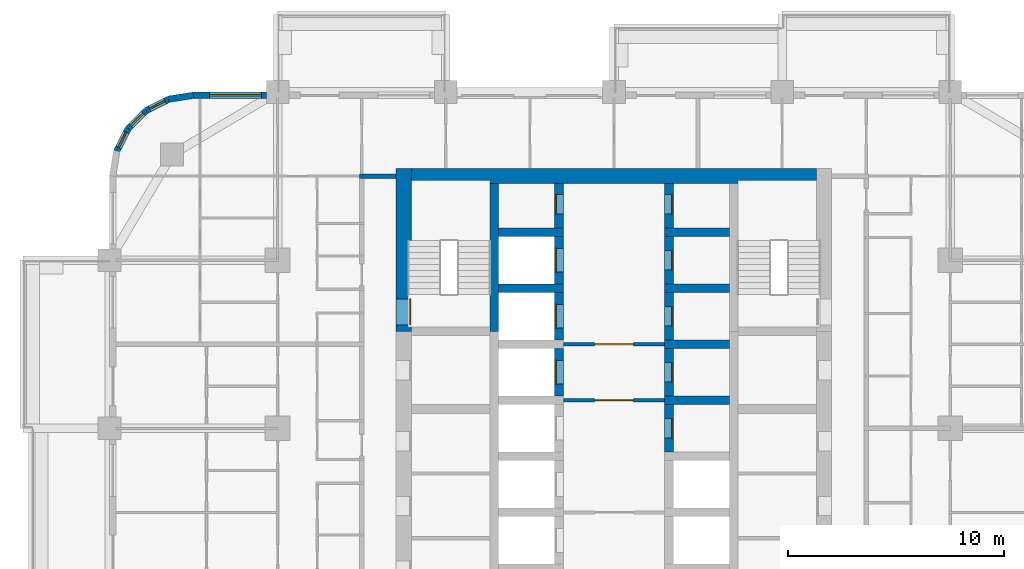
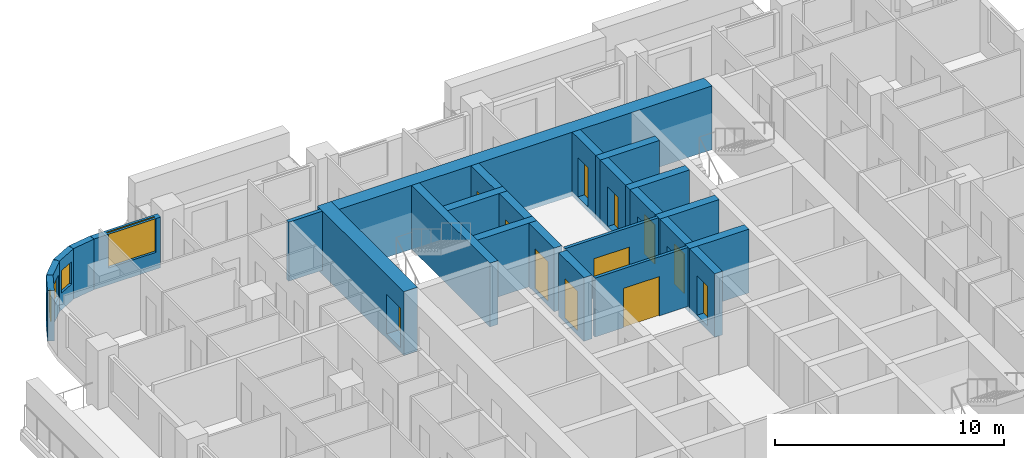
# One storey, part 11 of 18: 26 walls, 12 doors, 4 windows, 16 openings.
"""IFC4 building model written with IfcOpenShell, lengths in metres."""

from ifc_helpers import new_model, si_unit, direction, frame, frame_2d, origin, place, context, subcontext, project, spatial, rectangle, extrude, material, layer, layer_set, type_object, element, fill, save


model = new_model("IFC4")

# Units and contexts
model_context = context("Model", 3, precision=1e-05, world=origin(), true_north=direction((0.0, 1.0)))
body_context = subcontext(model_context, "Body", "Model", "MODEL_VIEW")
ifc_project = project(units=[si_unit("LENGTHUNIT", "METRE"), si_unit("AREAUNIT", "SQUARE_METRE"), si_unit("VOLUMEUNIT", "CUBIC_METRE"), si_unit("PLANEANGLEUNIT", "RADIAN"), si_unit("MASSUNIT", "GRAM", prefix="KILO")], contexts=[model_context])

# Site, building, storey
site_placement = place(None, origin())
site = spatial("IfcSite", under=ifc_project, at=site_placement, CompositionType="ELEMENT")
building_placement = place(site_placement, origin())
building = spatial("IfcBuilding", under=site, at=building_placement, Name="Ludao Terraces", CompositionType="ELEMENT")
storey_placement = place(building_placement, frame((0.0, 0.0, 33.10009765625)))
storey = spatial("IfcBuildingStorey", under=building, at=storey_placement, Name="L08", CompositionType="ELEMENT", Elevation=33.10009765625)

# Wall, opening, door
ifc_material_1 = material(Name="Concrete C70", Category="concrete")
ifc_layer_1 = layer(ifc_material_1, 0.699951171875)
ifc_layer_set_1 = layer_set([ifc_layer_1], Name="Core wall 700 C70")
wall_type_1 = type_object("IfcWallType", Name="Core wall 700 C70", PredefinedType="SOLIDWALL", material=ifc_layer_set_1)
wall_1_placement = place(storey_placement, frame((75.25, 77.300048828125, -0.25), z_axis=(0.0, 0.0, 1.0), x_axis=(0.0, 1.0, 0.0)))
wall_1 = element("IfcWall", 1, at=wall_1_placement, inside=storey, type_object=wall_type_1, Name="Core wall L08 outer-W-S1", PredefinedType="SOLIDWALL", context=body_context, shape_type="SweptSolid", body=[
    extrude(rectangle(XDim=7.550048828125, YDim=0.699951171875, at=frame_2d((3.77490234375, 0.0))), origin(), (0.0, 0.0, 1.0), 3.39990234375),
])
opening_1_placement = place(wall_1_placement, frame((0.300048828125, 0.0, 0.25)))
opening_1 = element("IfcOpeningElement", 2, at=opening_1_placement, cuts=wall_1, Name="Opening R02-133", PredefinedType="OPENING", context=body_context, shape_type="SweptSolid", body=[
    extrude(rectangle(XDim=1.199951171875, YDim=2.10009765625, at=frame_2d((0.60009765625, 1.050048828125))), frame((0.0, 0.35986328125, 0.0), z_axis=(0.0, -1.0, 0.0), x_axis=(1.0, 0.0, 0.0)), (0.0, 0.0, 1.0), 0.719970703125),
])
ifc_material_2 = material(Name="Steel Q235", Category="steel")
door_type_1 = type_object("IfcDoorType", Name="INT Stair door 1200", OperationType="DOUBLE_DOOR_SINGLE_SWING", PredefinedType="DOOR", material=ifc_material_2)
door_1_placement = place(opening_1_placement, origin())
door_1 = element("IfcDoor", 3, at=door_1_placement, inside=storey, type_object=door_type_1, Name="DOOR 133", OperationType="DOUBLE_DOOR_SINGLE_SWING", OverallHeight=2.10009765625, OverallWidth=1.199951171875, PredefinedType="DOOR", context=body_context, shape_type="SweptSolid", body=[
    extrude(rectangle(XDim=1.199951171875, YDim=2.10009765625, at=frame_2d((0.60009765625, 1.050048828125))), frame((0.0, -0.28515625, 0.0), z_axis=(0.0, -1.0, 0.0), x_axis=(1.0, 0.0, 0.0)), (0.0, 0.0, 1.0), 0.050048828125),
])
fill(opening_1, door_1)

# Wall
wall_2_placement = place(storey_placement, frame((75.60009765625, 84.5, -0.25), z_axis=(0.0, 0.0, 1.0), x_axis=(1.0, 0.0, 0.0)))
element("IfcWall", 4, at=wall_2_placement, inside=storey, type_object=wall_type_1, Name="Core wall L08 outer-N", PredefinedType="SOLIDWALL", context=body_context, shape_type="SweptSolid", body=[
    extrude(rectangle(XDim=18.7998046875, YDim=0.699951171875, at=frame_2d((9.39990234375, 0.0))), origin(), (0.0, 0.0, 1.0), 3.39990234375),
])

# Wall, opening, window
ifc_material_3 = material(Name="Granite cladding", Category="masonry")
ifc_layer_2 = layer(ifc_material_3, 0.0400390625, Category="stone")
ifc_material_4 = material(Name="Mineral wool")
ifc_layer_3 = layer(ifc_material_4, 0.06005859375)
ifc_material_5 = material(Name="Concrete C40", Category="concrete")
ifc_layer_4 = layer(ifc_material_5, 0.199951171875, Category="concrete")
ifc_layer_set_2 = layer_set([ifc_layer_2, ifc_layer_3, ifc_layer_4], Name="ENV Stone-clad wall 300")
wall_type_2 = type_object("IfcWallType", Name="ENV Stone-clad wall 300", PredefinedType="SOLIDWALL", material=ifc_layer_set_2)
wall_3_placement = place(storey_placement, frame((65.5, 88.25, 0.0), z_axis=(0.0, 0.0, 1.0), x_axis=(1.0, 0.0, 0.0)))
wall_3 = element("IfcWall", 5, at=wall_3_placement, inside=storey, type_object=wall_type_2, Name="EW-L08-N1", PredefinedType="SOLIDWALL", context=body_context, shape_type="SweptSolid", body=[
    extrude(rectangle(XDim=3.375, YDim=0.300048828125, at=frame_2d((1.6875, 0.0))), origin(), (0.0, 0.0, 1.0), 2.699951171875),
])
opening_2_placement = place(wall_3_placement, frame((0.75, 0.0, 0.89990234375)))
opening_2 = element("IfcOpeningElement", 6, at=opening_2_placement, cuts=wall_3, Name="Opening W1", PredefinedType="OPENING", context=body_context, shape_type="SweptSolid", body=[
    extrude(rectangle(XDim=2.39990234375, YDim=1.800048828125, at=frame_2d((1.199951171875, 0.89990234375))), frame((0.0, 0.16015625, 0.0), z_axis=(0.0, -1.0, 0.0), x_axis=(1.0, 0.0, 0.0)), (0.0, 0.0, 1.0), 0.320068359375),
])
ifc_material_6 = material(Name="Clear glass in aluminium frame", Category="aluminium")
ifc_layer_5 = layer(ifc_material_6, 0.06005859375)
ifc_layer_set_3 = layer_set([ifc_layer_5], Name="ENV Window W1 2400x1800")
window_type_1 = type_object("IfcWindowType", Name="ENV Window W1 2400x1800", PartitioningType="DOUBLE_PANEL_VERTICAL", PredefinedType="WINDOW", material=ifc_layer_set_3)
window_1_placement = place(opening_2_placement, origin())
window_1 = element("IfcWindow", 7, at=window_1_placement, inside=storey, type_object=window_type_1, Name="W-L08-N1-1", OverallHeight=1.800048828125, OverallWidth=2.39990234375, PartitioningType="DOUBLE_PANEL_VERTICAL", PredefinedType="WINDOW", context=body_context, shape_type="SweptSolid", body=[
    extrude(rectangle(XDim=2.39990234375, YDim=1.800048828125, at=frame_2d((1.199951171875, 0.89990234375))), frame((0.0, 0.030029296875, 0.0), z_axis=(0.0, -1.0, 0.0), x_axis=(1.0, 0.0, 0.0)), (0.0, 0.0, 1.0), 0.06005859375),
])
fill(opening_2, window_1)

# Wall
wall_4_placement = place(storey_placement, frame((65.5, 88.25, 0.0), z_axis=(0.0, 0.0, 1.0), x_axis=(-0.987678452879, -0.156496880861, 0.0)))
element("IfcWall", 8, at=wall_4_placement, inside=storey, type_object=wall_type_2, Name="EW-L08-NW1", PredefinedType="SOLIDWALL", context=body_context, shape_type="SweptSolid", body=[
    extrude(rectangle(XDim=1.173095703125, YDim=0.300048828125, at=frame_2d((0.58642578125, 0.0))), origin(), (0.0, 0.0, 1.0), 2.699951171875),
])

# Wall, opening, window
wall_5_placement = place(storey_placement, frame((64.34130859375, 88.06640625, 0.0), z_axis=(0.0, 0.0, 1.0), x_axis=(-0.890988677504, -0.454025524128, 0.0)))
wall_5 = element("IfcWall", 9, at=wall_5_placement, inside=storey, type_object=wall_type_2, Name="EW-L08-NW2", PredefinedType="SOLIDWALL", context=body_context, shape_type="SweptSolid", body=[
    extrude(rectangle(XDim=1.17333984375, YDim=0.300048828125, at=frame_2d((0.586669921875, 0.0))), origin(), (0.0, 0.0, 1.0), 2.699951171875),
])
opening_3_placement = place(wall_5_placement, frame((0.1865234375, 0.0, 0.89990234375)))
opening_3 = element("IfcOpeningElement", 10, at=opening_3_placement, cuts=wall_5, Name="Opening W3", PredefinedType="OPENING", context=body_context, shape_type="SweptSolid", body=[
    extrude(rectangle(XDim=0.800048828125, YDim=1.199951171875, at=frame_2d((0.39990234375, 0.60009765625))), frame((0.0, 0.16015625, 0.0), z_axis=(0.0, -1.0, 0.0), x_axis=(1.0, 0.0, 0.0)), (0.0, 0.0, 1.0), 0.320068359375),
])
ifc_layer_6 = layer(ifc_material_6, 0.06005859375)
ifc_layer_set_4 = layer_set([ifc_layer_6], Name="ENV Window W3 800x1200")
window_type_2 = type_object("IfcWindowType", Name="ENV Window W3 800x1200", PartitioningType="SINGLE_PANEL", PredefinedType="WINDOW", material=ifc_layer_set_4)
window_2_placement = place(opening_3_placement, origin())
window_2 = element("IfcWindow", 11, at=window_2_placement, inside=storey, type_object=window_type_2, Name="W-L08-NW2", OverallHeight=1.199951171875, OverallWidth=0.800048828125, PartitioningType="SINGLE_PANEL", PredefinedType="WINDOW", context=body_context, shape_type="SweptSolid", body=[
    extrude(rectangle(XDim=0.800048828125, YDim=1.199951171875, at=frame_2d((0.39990234375, 0.60009765625))), frame((0.0, 0.030029296875, 0.0), z_axis=(0.0, -1.0, 0.0), x_axis=(1.0, 0.0, 0.0)), (0.0, 0.0, 1.0), 0.06005859375),
])
fill(opening_3, window_2)

wall_6_placement = place(storey_placement, frame((63.2958984375, 87.53369140625, 0.0), z_axis=(0.0, 0.0, 1.0), x_axis=(-0.707106781187, -0.707106781187, 0.0)))
wall_6 = element("IfcWall", 12, at=wall_6_placement, inside=storey, type_object=wall_type_2, Name="EW-L08-NW3", PredefinedType="SOLIDWALL", context=body_context, shape_type="SweptSolid", body=[
    extrude(rectangle(XDim=1.173095703125, YDim=0.300048828125, at=frame_2d((0.58642578125, 0.0))), origin(), (0.0, 0.0, 1.0), 2.699951171875),
])
opening_4_placement = place(wall_6_placement, frame((0.1865234375, 0.0, 0.89990234375)))
opening_4 = element("IfcOpeningElement", 13, at=opening_4_placement, cuts=wall_6, Name="Opening W3", PredefinedType="OPENING", context=body_context, shape_type="SweptSolid", body=[
    extrude(rectangle(XDim=0.800048828125, YDim=1.199951171875, at=frame_2d((0.39990234375, 0.60009765625))), frame((0.0, 0.16015625, 0.0), z_axis=(0.0, -1.0, 0.0), x_axis=(1.0, 0.0, 0.0)), (0.0, 0.0, 1.0), 0.320068359375),
])
window_3_placement = place(opening_4_placement, origin())
window_3 = element("IfcWindow", 14, at=window_3_placement, inside=storey, type_object=window_type_2, Name="W-L08-NW3", OverallHeight=1.199951171875, OverallWidth=0.800048828125, PartitioningType="SINGLE_PANEL", PredefinedType="WINDOW", context=body_context, shape_type="SweptSolid", body=[
    extrude(rectangle(XDim=0.800048828125, YDim=1.199951171875, at=frame_2d((0.39990234375, 0.60009765625))), frame((0.0, 0.030029296875, 0.0), z_axis=(0.0, -1.0, 0.0), x_axis=(1.0, 0.0, 0.0)), (0.0, 0.0, 1.0), 0.06005859375),
])
fill(opening_4, window_3)

wall_7_placement = place(storey_placement, frame((62.46630859375, 86.7041015625, 0.0), z_axis=(0.0, 0.0, 1.0), x_axis=(-0.454025524128, -0.890988677504, 0.0)))
wall_7 = element("IfcWall", 15, at=wall_7_placement, inside=storey, type_object=wall_type_2, Name="EW-L08-NW4", PredefinedType="SOLIDWALL", context=body_context, shape_type="SweptSolid", body=[
    extrude(rectangle(XDim=1.17333984375, YDim=0.300048828125, at=frame_2d((0.586669921875, 0.0))), origin(), (0.0, 0.0, 1.0), 2.699951171875),
])
opening_5_placement = place(wall_7_placement, frame((0.1865234375, 0.0, 0.89990234375)))
opening_5 = element("IfcOpeningElement", 16, at=opening_5_placement, cuts=wall_7, Name="Opening W3", PredefinedType="OPENING", context=body_context, shape_type="SweptSolid", body=[
    extrude(rectangle(XDim=0.800048828125, YDim=1.199951171875, at=frame_2d((0.39990234375, 0.60009765625))), frame((0.0, 0.16015625, 0.0), z_axis=(0.0, -1.0, 0.0), x_axis=(1.0, 0.0, 0.0)), (0.0, 0.0, 1.0), 0.320068359375),
])
window_4_placement = place(opening_5_placement, origin())
window_4 = element("IfcWindow", 17, at=window_4_placement, inside=storey, type_object=window_type_2, Name="W-L08-NW4", OverallHeight=1.199951171875, OverallWidth=0.800048828125, PartitioningType="SINGLE_PANEL", PredefinedType="WINDOW", context=body_context, shape_type="SweptSolid", body=[
    extrude(rectangle(XDim=0.800048828125, YDim=1.199951171875, at=frame_2d((0.39990234375, 0.60009765625))), frame((0.0, 0.030029296875, 0.0), z_axis=(0.0, -1.0, 0.0), x_axis=(1.0, 0.0, 0.0)), (0.0, 0.0, 1.0), 0.06005859375),
])
fill(opening_5, window_4)

# Wall, opening, door
ifc_material_7 = material(Name="Fire-rated gypsum plasterboard", Category="gypsum")
ifc_layer_7 = layer(ifc_material_7, 0.012451171875, Category="gypsum")
ifc_layer_8 = layer(ifc_material_4, 0.10009765625, Name="insulation")
ifc_layer_9 = layer(ifc_material_2, 0.02490234375, Name="stud")
ifc_layer_10 = layer(ifc_material_7, 0.012451171875, Category="gypsum")
ifc_layer_set_5 = layer_set([ifc_layer_7, ifc_layer_8, ifc_layer_9, ifc_layer_10], Name="INT Core partition 150")
wall_type_3 = type_object("IfcWallType", Name="INT Core partition 150", PredefinedType="PARTITIONING", material=ifc_layer_set_5)
wall_8_placement = place(storey_placement, frame((82.650146484375, 74.10009765625, 0.0), z_axis=(0.0, 0.0, 1.0), x_axis=(1.0, 0.0, 0.0)))
wall_8 = element("IfcWall", 18, at=wall_8_placement, inside=storey, type_object=wall_type_3, Name="PW-L08-PW058", PredefinedType="PARTITIONING", context=body_context, shape_type="SweptSolid", body=[
    extrude(rectangle(XDim=4.699951171875, YDim=0.14990234375, at=frame_2d((2.35009765625, 0.0))), origin(), (0.0, 0.0, 1.0), 3.14990234375),
])
opening_6_placement = place(wall_8_placement, frame((1.449951171875, 0.0, 0.0)))
opening_6 = element("IfcOpeningElement", 19, at=opening_6_placement, cuts=wall_8, Name="Opening R02-116", PredefinedType="OPENING", context=body_context, shape_type="SweptSolid", body=[
    extrude(rectangle(XDim=1.800048828125, YDim=2.10009765625, at=frame_2d((0.89990234375, 1.050048828125))), frame((0.0, 0.0849609375, 0.0), z_axis=(0.0, -1.0, 0.0), x_axis=(1.0, 0.0, 0.0)), (0.0, 0.0, 1.0), 0.169921875),
])
door_type_2 = type_object("IfcDoorType", Name="INT Fire lobby door 1800", OperationType="DOUBLE_DOOR_SINGLE_SWING", PredefinedType="DOOR", material=ifc_material_2)
door_2_placement = place(opening_6_placement, origin())
door_2 = element("IfcDoor", 20, at=door_2_placement, inside=storey, type_object=door_type_2, Name="DOOR 116", OperationType="DOUBLE_DOOR_SINGLE_SWING", OverallHeight=2.10009765625, OverallWidth=1.800048828125, PredefinedType="DOOR", context=body_context, shape_type="SweptSolid", body=[
    extrude(rectangle(XDim=1.800048828125, YDim=2.10009765625, at=frame_2d((0.89990234375, 1.050048828125))), frame((0.0, 0.02490234375, 0.0), z_axis=(0.0, -1.0, 0.0), x_axis=(1.0, 0.0, 0.0)), (0.0, 0.0, 1.0), 0.050048828125),
])
fill(opening_6, door_2)

wall_9_placement = place(storey_placement, frame((82.650146484375, 76.699951171875, 0.0), z_axis=(0.0, 0.0, 1.0), x_axis=(1.0, 0.0, 0.0)))
wall_9 = element("IfcWall", 21, at=wall_9_placement, inside=storey, type_object=wall_type_3, Name="PW-L08-PW063", PredefinedType="PARTITIONING", context=body_context, shape_type="SweptSolid", body=[
    extrude(rectangle(XDim=4.699951171875, YDim=0.14990234375, at=frame_2d((2.35009765625, 0.0))), origin(), (0.0, 0.0, 1.0), 3.14990234375),
])
opening_7_placement = place(wall_9_placement, frame((1.449951171875, 0.0, 0.0)))
opening_7 = element("IfcOpeningElement", 22, at=opening_7_placement, cuts=wall_9, Name="Opening R02-127", PredefinedType="OPENING", context=body_context, shape_type="SweptSolid", body=[
    extrude(rectangle(XDim=1.800048828125, YDim=2.10009765625, at=frame_2d((0.89990234375, 1.050048828125))), frame((0.0, 0.0849609375, 0.0), z_axis=(0.0, -1.0, 0.0), x_axis=(1.0, 0.0, 0.0)), (0.0, 0.0, 1.0), 0.169921875),
])
door_3_placement = place(opening_7_placement, origin())
door_3 = element("IfcDoor", 23, at=door_3_placement, inside=storey, type_object=door_type_2, Name="DOOR 127", OperationType="DOUBLE_DOOR_SINGLE_SWING", OverallHeight=2.10009765625, OverallWidth=1.800048828125, PredefinedType="DOOR", context=body_context, shape_type="SweptSolid", body=[
    extrude(rectangle(XDim=1.800048828125, YDim=2.10009765625, at=frame_2d((0.89990234375, 1.050048828125))), frame((0.0, 0.02490234375, 0.0), z_axis=(0.0, -1.0, 0.0), x_axis=(1.0, 0.0, 0.0)), (0.0, 0.0, 1.0), 0.050048828125),
])
fill(opening_7, door_3)

# Walls
ifc_material_8 = material(Name="Autoclaved aerated concrete block B06 A3.5", Category="concrete")
ifc_layer_11 = layer(ifc_material_8, 0.199951171875)
ifc_layer_set_6 = layer_set([ifc_layer_11], Name="INT Entrance wall 200")
wall_type_4 = type_object("IfcWallType", Name="INT Entrance wall 200", PredefinedType="PARTITIONING", material=ifc_layer_set_6)
wall_10_placement = place(storey_placement, frame((73.2001953125, 84.5, 0.0), z_axis=(0.0, 0.0, 1.0), x_axis=(1.0, 0.0, 0.0)))
element("IfcWall", 24, at=wall_10_placement, inside=storey, type_object=wall_type_4, Name="PW-L08-PW078", PredefinedType="PARTITIONING", context=body_context, shape_type="SweptSolid", body=[
    extrude(rectangle(XDim=1.699951171875, YDim=0.199951171875, at=frame_2d((0.85009765625, 0.0))), origin(), (0.0, 0.0, 1.0), 3.14990234375),
])
ifc_material_9 = material(Name="Concrete C60", Category="concrete")
ifc_layer_12 = layer(ifc_material_9, 0.39990234375)
ifc_layer_set_7 = layer_set([ifc_layer_12], Name="Shaft wall 400 C60")
wall_type_5 = type_object("IfcWallType", Name="Shaft wall 400 C60", PredefinedType="SOLIDWALL", material=ifc_layer_set_7)
wall_11_placement = place(storey_placement, frame((79.449951171875, 77.300048828125, -0.25), z_axis=(0.0, 0.0, 1.0), x_axis=(0.0, 1.0, 0.0)))
element("IfcWall", 25, at=wall_11_placement, inside=storey, type_object=wall_type_5, Name="Core wall L08 back-W-S1", PredefinedType="SOLIDWALL", context=body_context, shape_type="SweptSolid", body=[
    extrude(rectangle(XDim=6.849853515625, YDim=0.39990234375, at=frame_2d((3.4248046875, 0.0))), origin(), (0.0, 0.0, 1.0), 3.39990234375),
])

# Wall, opening, door
wall_12_placement = place(storey_placement, frame((82.449951171875, 74.300048828125, -0.25), z_axis=(0.0, 0.0, 1.0), x_axis=(0.0, 1.0, 0.0)))
wall_12 = element("IfcWall", 26, at=wall_12_placement, inside=storey, type_object=wall_type_5, Name="Core wall L08 front-W6", PredefinedType="SOLIDWALL", context=body_context, shape_type="SweptSolid", body=[
    extrude(rectangle(XDim=2.199951171875, YDim=0.39990234375, at=frame_2d((1.10009765625, 0.0))), origin(), (0.0, 0.0, 1.0), 3.39990234375),
])
opening_8_placement = place(wall_12_placement, frame((0.550048828125, 0.0, 0.25)))
opening_8 = element("IfcOpeningElement", 27, at=opening_8_placement, cuts=wall_12, Name="Opening LD-LA6", PredefinedType="OPENING", context=body_context, shape_type="SweptSolid", body=[
    extrude(rectangle(XDim=1.10009765625, YDim=2.10009765625, at=frame_2d((0.550048828125, 1.050048828125))), frame((0.0, 0.2099609375, 0.0), z_axis=(0.0, -1.0, 0.0), x_axis=(1.0, 0.0, 0.0)), (0.0, 0.0, 1.0), 0.419921875),
])
ifc_material_10 = material(Name="Stainless steel 304", Category="steel")
door_type_3 = type_object("IfcDoorType", Name="INT Lift landing door 1100", OperationType="SLIDING_TO_LEFT", PredefinedType="DOOR", material=ifc_material_10)
door_4_placement = place(opening_8_placement, origin())
door_4 = element("IfcDoor", 28, at=door_4_placement, inside=storey, type_object=door_type_3, Name="LANDING DOOR LA6 L08", OperationType="SLIDING_TO_LEFT", OverallHeight=2.10009765625, OverallWidth=1.10009765625, PredefinedType="DOOR", context=body_context, shape_type="SweptSolid", body=[
    extrude(rectangle(XDim=1.10009765625, YDim=2.10009765625, at=frame_2d((0.550048828125, 1.050048828125))), frame((0.0, 0.18505859375, 0.0), z_axis=(0.0, -1.0, 0.0), x_axis=(1.0, 0.0, 0.0)), (0.0, 0.0, 1.0), 0.050048828125),
])
fill(opening_8, door_4)

wall_13_placement = place(storey_placement, frame((82.449951171875, 76.89990234375, -0.25), z_axis=(0.0, 0.0, 1.0), x_axis=(0.0, 1.0, 0.0)))
wall_13 = element("IfcWall", 29, at=wall_13_placement, inside=storey, type_object=wall_type_5, Name="Core wall L08 front-W7", PredefinedType="SOLIDWALL", context=body_context, shape_type="SweptSolid", body=[
    extrude(rectangle(XDim=2.2001953125, YDim=0.39990234375, at=frame_2d((1.10009765625, 0.0))), origin(), (0.0, 0.0, 1.0), 3.39990234375),
])
opening_9_placement = place(wall_13_placement, frame((0.550048828125, 0.0, 0.25)))
opening_9 = element("IfcOpeningElement", 30, at=opening_9_placement, cuts=wall_13, Name="Opening LD-FF1", PredefinedType="OPENING", context=body_context, shape_type="SweptSolid", body=[
    extrude(rectangle(XDim=1.10009765625, YDim=2.10009765625, at=frame_2d((0.550048828125, 1.050048828125))), frame((0.0, 0.2099609375, 0.0), z_axis=(0.0, -1.0, 0.0), x_axis=(1.0, 0.0, 0.0)), (0.0, 0.0, 1.0), 0.419921875),
])
door_5_placement = place(opening_9_placement, origin())
door_5 = element("IfcDoor", 31, at=door_5_placement, inside=storey, type_object=door_type_3, Name="LANDING DOOR FF1 L08", OperationType="SLIDING_TO_LEFT", OverallHeight=2.10009765625, OverallWidth=1.10009765625, PredefinedType="DOOR", context=body_context, shape_type="SweptSolid", body=[
    extrude(rectangle(XDim=1.10009765625, YDim=2.10009765625, at=frame_2d((0.550048828125, 1.050048828125))), frame((0.0, 0.18505859375, 0.0), z_axis=(0.0, -1.0, 0.0), x_axis=(1.0, 0.0, 0.0)), (0.0, 0.0, 1.0), 0.050048828125),
])
fill(opening_9, door_5)

# Wall
wall_14_placement = place(storey_placement, frame((79.64990234375, 79.300048828125, -0.25), z_axis=(0.0, 0.0, 1.0), x_axis=(1.0, 0.0, 0.0)))
element("IfcWall", 32, at=wall_14_placement, inside=storey, type_object=wall_type_5, Name="Core wall L08 div-W8", PredefinedType="SOLIDWALL", context=body_context, shape_type="SweptSolid", body=[
    extrude(rectangle(XDim=3.0, YDim=0.39990234375, at=frame_2d((1.5, 0.0))), origin(), (0.0, 0.0, 1.0), 3.39990234375),
])

# Wall, opening, door
wall_15_placement = place(storey_placement, frame((82.449951171875, 79.5, -0.25), z_axis=(0.0, 0.0, 1.0), x_axis=(0.0, 1.0, 0.0)))
wall_15 = element("IfcWall", 33, at=wall_15_placement, inside=storey, type_object=wall_type_5, Name="Core wall L08 front-W8", PredefinedType="SOLIDWALL", context=body_context, shape_type="SweptSolid", body=[
    extrude(rectangle(XDim=2.199951171875, YDim=0.39990234375, at=frame_2d((1.10009765625, 0.0))), origin(), (0.0, 0.0, 1.0), 3.39990234375),
])
opening_10_placement = place(wall_15_placement, frame((0.550048828125, 0.0, 0.25)))
opening_10 = element("IfcOpeningElement", 34, at=opening_10_placement, cuts=wall_15, Name="Opening LD-FF2", PredefinedType="OPENING", context=body_context, shape_type="SweptSolid", body=[
    extrude(rectangle(XDim=1.10009765625, YDim=2.10009765625, at=frame_2d((0.550048828125, 1.050048828125))), frame((0.0, 0.2099609375, 0.0), z_axis=(0.0, -1.0, 0.0), x_axis=(1.0, 0.0, 0.0)), (0.0, 0.0, 1.0), 0.419921875),
])
door_6_placement = place(opening_10_placement, origin())
door_6 = element("IfcDoor", 35, at=door_6_placement, inside=storey, type_object=door_type_3, Name="LANDING DOOR FF2 L08", OperationType="SLIDING_TO_LEFT", OverallHeight=2.10009765625, OverallWidth=1.10009765625, PredefinedType="DOOR", context=body_context, shape_type="SweptSolid", body=[
    extrude(rectangle(XDim=1.10009765625, YDim=2.10009765625, at=frame_2d((0.550048828125, 1.050048828125))), frame((0.0, 0.18505859375, 0.0), z_axis=(0.0, -1.0, 0.0), x_axis=(1.0, 0.0, 0.0)), (0.0, 0.0, 1.0), 0.050048828125),
])
fill(opening_10, door_6)

# Wall
wall_16_placement = place(storey_placement, frame((79.64990234375, 81.89990234375, -0.25), z_axis=(0.0, 0.0, 1.0), x_axis=(1.0, 0.0, 0.0)))
element("IfcWall", 36, at=wall_16_placement, inside=storey, type_object=wall_type_5, Name="Core wall L08 div-W9", PredefinedType="SOLIDWALL", context=body_context, shape_type="SweptSolid", body=[
    extrude(rectangle(XDim=3.0, YDim=0.39990234375, at=frame_2d((1.5, 0.0))), origin(), (0.0, 0.0, 1.0), 3.39990234375),
])

# Wall, opening, door
wall_17_placement = place(storey_placement, frame((82.449951171875, 82.10009765625, -0.25), z_axis=(0.0, 0.0, 1.0), x_axis=(0.0, 1.0, 0.0)))
wall_17 = element("IfcWall", 37, at=wall_17_placement, inside=storey, type_object=wall_type_5, Name="Core wall L08 front-W9", PredefinedType="SOLIDWALL", context=body_context, shape_type="SweptSolid", body=[
    extrude(rectangle(XDim=2.0498046875, YDim=0.39990234375, at=frame_2d((1.02490234375, 0.0))), origin(), (0.0, 0.0, 1.0), 3.39990234375),
])
opening_11_placement = place(wall_17_placement, frame((0.64990234375, 0.0, 0.25)))
opening_11 = element("IfcOpeningElement", 38, at=opening_11_placement, cuts=wall_17, Name="Opening R02-148", PredefinedType="OPENING", context=body_context, shape_type="SweptSolid", body=[
    extrude(rectangle(XDim=0.89990234375, YDim=2.10009765625, at=frame_2d((0.449951171875, 1.050048828125))), frame((0.0, 0.2099609375, 0.0), z_axis=(0.0, -1.0, 0.0), x_axis=(1.0, 0.0, 0.0)), (0.0, 0.0, 1.0), 0.419921875),
])
ifc_material_11 = material(Name="Timber door leaf", Category="wood")
door_type_4 = type_object("IfcDoorType", Name="INT Room door 900", OperationType="SINGLE_SWING_LEFT", PredefinedType="DOOR", material=ifc_material_11)
door_7_placement = place(opening_11_placement, origin())
door_7 = element("IfcDoor", 39, at=door_7_placement, inside=storey, type_object=door_type_4, Name="DOOR 148", OperationType="SINGLE_SWING_RIGHT", OverallHeight=2.10009765625, OverallWidth=0.89990234375, PredefinedType="DOOR", context=body_context, shape_type="SweptSolid", body=[
    extrude(rectangle(XDim=0.89990234375, YDim=2.10009765625, at=frame_2d((0.449951171875, 1.050048828125))), frame((0.0, 0.18505859375, 0.0), z_axis=(0.0, -1.0, 0.0), x_axis=(1.0, 0.0, 0.0)), (0.0, 0.0, 1.0), 0.050048828125),
])
fill(opening_11, door_7)

wall_18_placement = place(storey_placement, frame((87.550048828125, 71.699951171875, -0.25), z_axis=(0.0, 0.0, 1.0), x_axis=(0.0, 1.0, 0.0)))
wall_18 = element("IfcWall", 40, at=wall_18_placement, inside=storey, type_object=wall_type_5, Name="Core wall L08 front-E5", PredefinedType="SOLIDWALL", context=body_context, shape_type="SweptSolid", body=[
    extrude(rectangle(XDim=2.199951171875, YDim=0.39990234375, at=frame_2d((1.10009765625, 0.0))), origin(), (0.0, 0.0, 1.0), 3.39990234375),
])
opening_12_placement = place(wall_18_placement, frame((0.64990234375, 0.0, 0.25)))
opening_12 = element("IfcOpeningElement", 41, at=opening_12_placement, cuts=wall_18, Name="Opening R02-112", PredefinedType="OPENING", context=body_context, shape_type="SweptSolid", body=[
    extrude(rectangle(XDim=0.89990234375, YDim=2.10009765625, at=frame_2d((0.449951171875, 1.050048828125))), frame((0.0, 0.2099609375, 0.0), z_axis=(0.0, -1.0, 0.0), x_axis=(1.0, 0.0, 0.0)), (0.0, 0.0, 1.0), 0.419921875),
])
door_8_placement = place(opening_12_placement, origin())
door_8 = element("IfcDoor", 42, at=door_8_placement, inside=storey, type_object=door_type_4, Name="DOOR 112", OperationType="SINGLE_SWING_RIGHT", OverallHeight=2.10009765625, OverallWidth=0.89990234375, PredefinedType="DOOR", context=body_context, shape_type="SweptSolid", body=[
    extrude(rectangle(XDim=0.89990234375, YDim=2.10009765625, at=frame_2d((0.449951171875, 1.050048828125))), frame((0.0, -0.134765625, 0.0), z_axis=(0.0, -1.0, 0.0), x_axis=(1.0, 0.0, 0.0)), (0.0, 0.0, 1.0), 0.050048828125),
])
fill(opening_12, door_8)

# Wall
wall_19_placement = place(storey_placement, frame((87.35009765625, 74.10009765625, -0.25), z_axis=(0.0, 0.0, 1.0), x_axis=(1.0, 0.0, 0.0)))
element("IfcWall", 43, at=wall_19_placement, inside=storey, type_object=wall_type_5, Name="Core wall L08 div-E6", PredefinedType="SOLIDWALL", context=body_context, shape_type="SweptSolid", body=[
    extrude(rectangle(XDim=3.0, YDim=0.39990234375, at=frame_2d((1.5, 0.0))), origin(), (0.0, 0.0, 1.0), 3.39990234375),
])

# Wall, opening, door
wall_20_placement = place(storey_placement, frame((87.550048828125, 74.300048828125, -0.25), z_axis=(0.0, 0.0, 1.0), x_axis=(0.0, 1.0, 0.0)))
wall_20 = element("IfcWall", 44, at=wall_20_placement, inside=storey, type_object=wall_type_5, Name="Core wall L08 front-E6", PredefinedType="SOLIDWALL", context=body_context, shape_type="SweptSolid", body=[
    extrude(rectangle(XDim=2.199951171875, YDim=0.39990234375, at=frame_2d((1.10009765625, 0.0))), origin(), (0.0, 0.0, 1.0), 3.39990234375),
])
opening_13_placement = place(wall_20_placement, frame((0.64990234375, 0.0, 0.25)))
opening_13 = element("IfcOpeningElement", 45, at=opening_13_placement, cuts=wall_20, Name="Opening R02-119", PredefinedType="OPENING", context=body_context, shape_type="SweptSolid", body=[
    extrude(rectangle(XDim=0.89990234375, YDim=2.10009765625, at=frame_2d((0.449951171875, 1.050048828125))), frame((0.0, 0.2099609375, 0.0), z_axis=(0.0, -1.0, 0.0), x_axis=(1.0, 0.0, 0.0)), (0.0, 0.0, 1.0), 0.419921875),
])
door_9_placement = place(opening_13_placement, origin())
door_9 = element("IfcDoor", 46, at=door_9_placement, inside=storey, type_object=door_type_4, Name="DOOR 119", OperationType="SINGLE_SWING_RIGHT", OverallHeight=2.10009765625, OverallWidth=0.89990234375, PredefinedType="DOOR", context=body_context, shape_type="SweptSolid", body=[
    extrude(rectangle(XDim=0.89990234375, YDim=2.10009765625, at=frame_2d((0.449951171875, 1.050048828125))), frame((0.0, -0.134765625, 0.0), z_axis=(0.0, -1.0, 0.0), x_axis=(1.0, 0.0, 0.0)), (0.0, 0.0, 1.0), 0.050048828125),
])
fill(opening_13, door_9)

# Wall
wall_21_placement = place(storey_placement, frame((87.35009765625, 76.699951171875, -0.25), z_axis=(0.0, 0.0, 1.0), x_axis=(1.0, 0.0, 0.0)))
element("IfcWall", 47, at=wall_21_placement, inside=storey, type_object=wall_type_5, Name="Core wall L08 div-E7", PredefinedType="SOLIDWALL", context=body_context, shape_type="SweptSolid", body=[
    extrude(rectangle(XDim=3.0, YDim=0.39990234375, at=frame_2d((1.5, 0.0))), origin(), (0.0, 0.0, 1.0), 3.39990234375),
])

# Wall, opening, door
wall_22_placement = place(storey_placement, frame((87.550048828125, 76.89990234375, -0.25), z_axis=(0.0, 0.0, 1.0), x_axis=(0.0, 1.0, 0.0)))
wall_22 = element("IfcWall", 48, at=wall_22_placement, inside=storey, type_object=wall_type_5, Name="Core wall L08 front-E7", PredefinedType="SOLIDWALL", context=body_context, shape_type="SweptSolid", body=[
    extrude(rectangle(XDim=2.2001953125, YDim=0.39990234375, at=frame_2d((1.10009765625, 0.0))), origin(), (0.0, 0.0, 1.0), 3.39990234375),
])
opening_14_placement = place(wall_22_placement, frame((0.64990234375, 0.0, 0.25)))
opening_14 = element("IfcOpeningElement", 49, at=opening_14_placement, cuts=wall_22, Name="Opening R02-132", PredefinedType="OPENING", context=body_context, shape_type="SweptSolid", body=[
    extrude(rectangle(XDim=0.89990234375, YDim=2.10009765625, at=frame_2d((0.449951171875, 1.050048828125))), frame((0.0, 0.2099609375, 0.0), z_axis=(0.0, -1.0, 0.0), x_axis=(1.0, 0.0, 0.0)), (0.0, 0.0, 1.0), 0.419921875),
])
door_10_placement = place(opening_14_placement, origin())
door_10 = element("IfcDoor", 50, at=door_10_placement, inside=storey, type_object=door_type_4, Name="DOOR 132", OperationType="SINGLE_SWING_RIGHT", OverallHeight=2.10009765625, OverallWidth=0.89990234375, PredefinedType="DOOR", context=body_context, shape_type="SweptSolid", body=[
    extrude(rectangle(XDim=0.89990234375, YDim=2.10009765625, at=frame_2d((0.449951171875, 1.050048828125))), frame((0.0, -0.134765625, 0.0), z_axis=(0.0, -1.0, 0.0), x_axis=(1.0, 0.0, 0.0)), (0.0, 0.0, 1.0), 0.050048828125),
])
fill(opening_14, door_10)

# Wall
wall_23_placement = place(storey_placement, frame((87.35009765625, 79.300048828125, -0.25), z_axis=(0.0, 0.0, 1.0), x_axis=(1.0, 0.0, 0.0)))
element("IfcWall", 51, at=wall_23_placement, inside=storey, type_object=wall_type_5, Name="Core wall L08 div-E8", PredefinedType="SOLIDWALL", context=body_context, shape_type="SweptSolid", body=[
    extrude(rectangle(XDim=3.0, YDim=0.39990234375, at=frame_2d((1.5, 0.0))), origin(), (0.0, 0.0, 1.0), 3.39990234375),
])

# Wall, opening, door
wall_24_placement = place(storey_placement, frame((87.550048828125, 79.5, -0.25), z_axis=(0.0, 0.0, 1.0), x_axis=(0.0, 1.0, 0.0)))
wall_24 = element("IfcWall", 52, at=wall_24_placement, inside=storey, type_object=wall_type_5, Name="Core wall L08 front-E8", PredefinedType="SOLIDWALL", context=body_context, shape_type="SweptSolid", body=[
    extrude(rectangle(XDim=2.199951171875, YDim=0.39990234375, at=frame_2d((1.10009765625, 0.0))), origin(), (0.0, 0.0, 1.0), 3.39990234375),
])
opening_15_placement = place(wall_24_placement, frame((0.64990234375, 0.0, 0.25)))
opening_15 = element("IfcOpeningElement", 53, at=opening_15_placement, cuts=wall_24, Name="Opening R02-143", PredefinedType="OPENING", context=body_context, shape_type="SweptSolid", body=[
    extrude(rectangle(XDim=0.89990234375, YDim=2.10009765625, at=frame_2d((0.449951171875, 1.050048828125))), frame((0.0, 0.2099609375, 0.0), z_axis=(0.0, -1.0, 0.0), x_axis=(1.0, 0.0, 0.0)), (0.0, 0.0, 1.0), 0.419921875),
])
door_11_placement = place(opening_15_placement, origin())
door_11 = element("IfcDoor", 54, at=door_11_placement, inside=storey, type_object=door_type_4, Name="DOOR 143", OperationType="SINGLE_SWING_LEFT", OverallHeight=2.10009765625, OverallWidth=0.89990234375, PredefinedType="DOOR", context=body_context, shape_type="SweptSolid", body=[
    extrude(rectangle(XDim=0.89990234375, YDim=2.10009765625, at=frame_2d((0.449951171875, 1.050048828125))), frame((0.0, -0.134765625, 0.0), z_axis=(0.0, -1.0, 0.0), x_axis=(1.0, 0.0, 0.0)), (0.0, 0.0, 1.0), 0.050048828125),
])
fill(opening_15, door_11)

# Wall
wall_25_placement = place(storey_placement, frame((87.35009765625, 81.89990234375, -0.25), z_axis=(0.0, 0.0, 1.0), x_axis=(1.0, 0.0, 0.0)))
element("IfcWall", 55, at=wall_25_placement, inside=storey, type_object=wall_type_5, Name="Core wall L08 div-E9", PredefinedType="SOLIDWALL", context=body_context, shape_type="SweptSolid", body=[
    extrude(rectangle(XDim=3.0, YDim=0.39990234375, at=frame_2d((1.5, 0.0))), origin(), (0.0, 0.0, 1.0), 3.39990234375),
])

# Wall, opening, door
wall_26_placement = place(storey_placement, frame((87.550048828125, 82.10009765625, -0.25), z_axis=(0.0, 0.0, 1.0), x_axis=(0.0, 1.0, 0.0)))
wall_26 = element("IfcWall", 56, at=wall_26_placement, inside=storey, type_object=wall_type_5, Name="Core wall L08 front-E9", PredefinedType="SOLIDWALL", context=body_context, shape_type="SweptSolid", body=[
    extrude(rectangle(XDim=2.0498046875, YDim=0.39990234375, at=frame_2d((1.02490234375, 0.0))), origin(), (0.0, 0.0, 1.0), 3.39990234375),
])
opening_16_placement = place(wall_26_placement, frame((0.64990234375, 0.0, 0.25)))
opening_16 = element("IfcOpeningElement", 57, at=opening_16_placement, cuts=wall_26, Name="Opening R02-149", PredefinedType="OPENING", context=body_context, shape_type="SweptSolid", body=[
    extrude(rectangle(XDim=0.89990234375, YDim=2.10009765625, at=frame_2d((0.449951171875, 1.050048828125))), frame((0.0, 0.2099609375, 0.0), z_axis=(0.0, -1.0, 0.0), x_axis=(1.0, 0.0, 0.0)), (0.0, 0.0, 1.0), 0.419921875),
])
door_12_placement = place(opening_16_placement, origin())
door_12 = element("IfcDoor", 58, at=door_12_placement, inside=storey, type_object=door_type_4, Name="DOOR 149", OperationType="SINGLE_SWING_LEFT", OverallHeight=2.10009765625, OverallWidth=0.89990234375, PredefinedType="DOOR", context=body_context, shape_type="SweptSolid", body=[
    extrude(rectangle(XDim=0.89990234375, YDim=2.10009765625, at=frame_2d((0.449951171875, 1.050048828125))), frame((0.0, -0.134765625, 0.0), z_axis=(0.0, -1.0, 0.0), x_axis=(1.0, 0.0, 0.0)), (0.0, 0.0, 1.0), 0.050048828125),
])
fill(opening_16, door_12)

save(model, "model.ifc")
